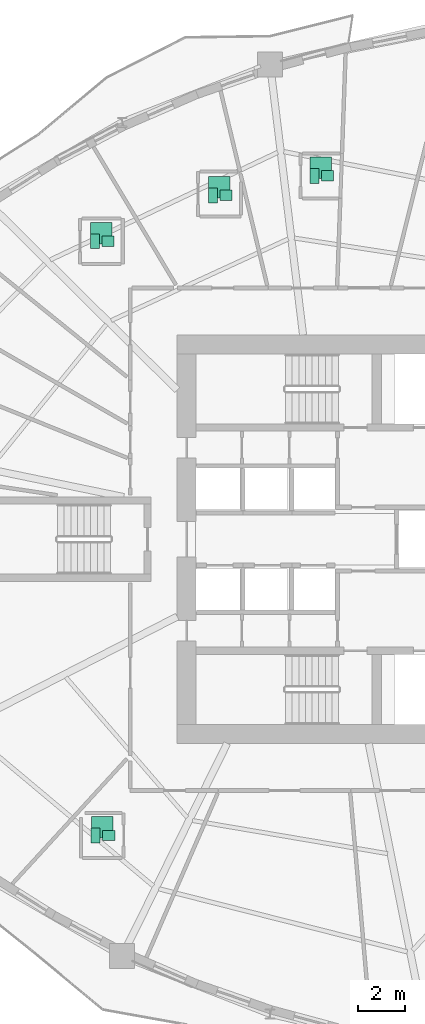
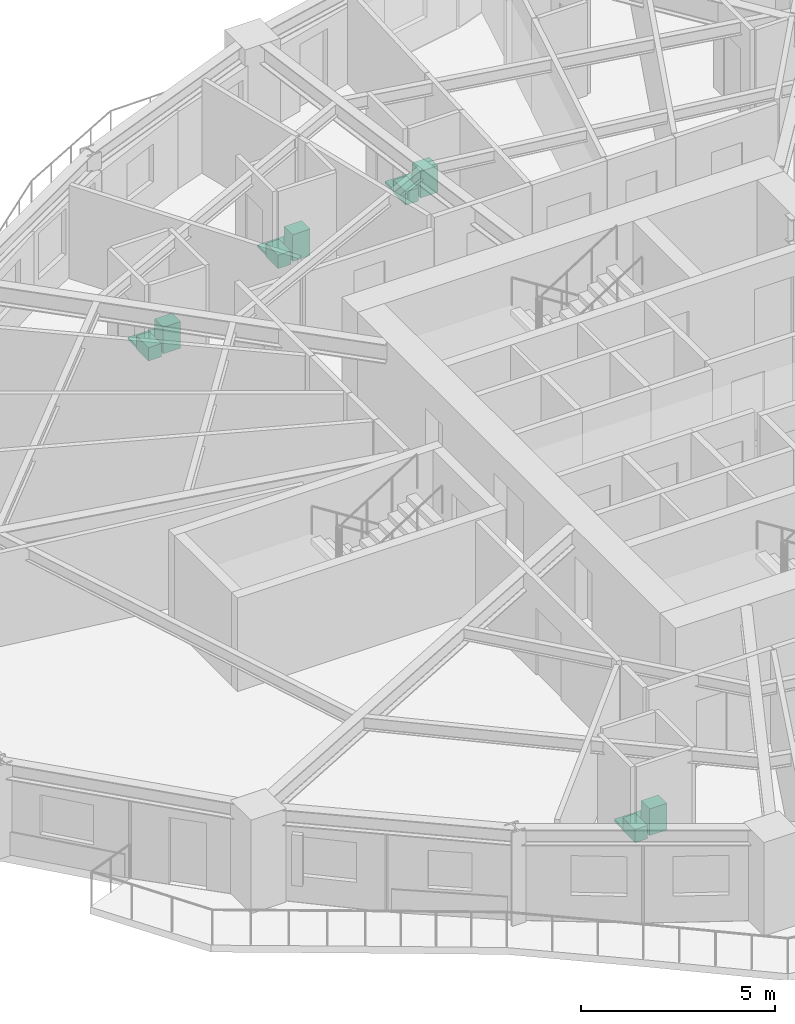
# One storey, part 16 of 16: 12 sanitary terminals.
"""IFC4 building model written with IfcOpenShell, lengths in metres."""

from ifc_helpers import new_model, si_unit, direction, frame, origin, origin_2d, place, context, subcontext, project, spatial, rectangle, extrude, source, transform, mapped, material, type_object, element, save


model = new_model("IFC4")

# Units and contexts
model_context = context("Model", 3, precision=1e-05, world=origin(), true_north=direction((0.0, 1.0)))
body_context = subcontext(model_context, "Body", "Model", "MODEL_VIEW")
ifc_project = project(units=[si_unit("LENGTHUNIT", "METRE"), si_unit("AREAUNIT", "SQUARE_METRE"), si_unit("VOLUMEUNIT", "CUBIC_METRE"), si_unit("PLANEANGLEUNIT", "RADIAN"), si_unit("MASSUNIT", "GRAM", prefix="KILO")], contexts=[model_context])

# Site, building, storey
site_placement = place(None, origin())
site = spatial("IfcSite", under=ifc_project, at=site_placement, CompositionType="ELEMENT")
building_placement = place(site_placement, origin())
building = spatial("IfcBuilding", under=site, at=building_placement, Name="Qafzar Sky-Pleat Residences", CompositionType="ELEMENT")
storey_placement = place(building_placement, frame((0.0, 0.0, 33.39990234375)))
storey = spatial("IfcBuildingStorey", under=building, at=storey_placement, Name="L09", CompositionType="ELEMENT", Elevation=33.39990234375)

# Sanitary terminals
ifc_material_1 = material(Name="Vitreous china sanitaryware")
sanitary_terminal_type_1 = type_object("IfcSanitaryTerminalType", Name="SAN-WC-PAN", PredefinedType="TOILETPAN", material=ifc_material_1)
shared_shape_1 = source(origin(), body_context, "Body", "SweptSolid", [
    extrude(rectangle(XDim=0.3798828125, YDim=0.6201171875, at=origin_2d()), origin(), (0.0, 0.0, 1.0), 0.419921875),
])
for number, where, z_axis, x_axis, name in (
    (1, (29.77294921875, 41.297119140625, 0.000244140625), (0.0, 0.0, 1.0), (1.0, 0.0, 0.0), "L09 En-suite Bathroom 1 WC Pan"),
    (2, (25.4990234375, 40.4736328125, 0.000244140625), (0.0, 0.0, 1.0), (1.0, 0.0, 0.0), "L09 En-suite Bathroom 2 WC Pan"),
    (3, (20.530029296875, 38.544921875, 0.000244140625), (0.0, 0.0, 1.0), (1.0, 0.0, 0.0), "L09 En-suite Bathroom 3 WC Pan"),
    (4, (20.56396484375, 13.52294921875, 0.000244140625), (0.0, 0.0, 1.0), (1.0, 0.0, 0.0), "L09 En-suite Bathroom 6 WC Pan"),
):
    element("IfcSanitaryTerminal", number, at=place(storey_placement, frame(where, z_axis=z_axis, x_axis=x_axis)), inside=storey, type_object=sanitary_terminal_type_1, Name=name, PredefinedType="TOILETPAN", context=body_context, shape_type="MappedRepresentation", body=[
        mapped(shared_shape_1, transform((0.0, 0.0, 0.0), x_axis=(1.0, 0.0, 0.0), y_axis=(0.0, 1.0, 0.0), z_axis=(0.0, 0.0, 1.0), scale=1.0)),
    ])
sanitary_terminal_type_2 = type_object("IfcSanitaryTerminalType", Name="SAN-BASIN", PredefinedType="WASHHANDBASIN", material=ifc_material_1)
shared_shape_2 = source(origin(), body_context, "Body", "SweptSolid", [
    extrude(rectangle(XDim=0.52001953125, YDim=0.43994140625, at=origin_2d()), origin(), (0.0, 0.0, 1.0), 0.840087890625),
])
for number, where, z_axis, x_axis, name in (
    (5, (30.3330078125, 41.297119140625, 0.0), (0.0, 0.0, 1.0), (1.0, 0.0, 0.0), "L09 En-suite Bathroom 1 Pedestal Washbasin"),
    (6, (26.05908203125, 40.4736328125, 0.0), (0.0, 0.0, 1.0), (1.0, 0.0, 0.0), "L09 En-suite Bathroom 2 Pedestal Washbasin"),
    (7, (21.090087890625, 38.544921875, 0.0), (0.0, 0.0, 1.0), (1.0, 0.0, 0.0), "L09 En-suite Bathroom 3 Pedestal Washbasin"),
    (8, (21.1240234375, 13.52294921875, 0.0), (0.0, 0.0, 1.0), (1.0, 0.0, 0.0), "L09 En-suite Bathroom 6 Pedestal Washbasin"),
):
    element("IfcSanitaryTerminal", number, at=place(storey_placement, frame(where, z_axis=z_axis, x_axis=x_axis)), inside=storey, type_object=sanitary_terminal_type_2, Name=name, PredefinedType="WASHHANDBASIN", context=body_context, shape_type="MappedRepresentation", body=[
        mapped(shared_shape_2, transform((0.0, 0.0, 0.0), x_axis=(1.0, 0.0, 0.0), y_axis=(0.0, 1.0, 0.0), z_axis=(0.0, 0.0, 1.0), scale=1.0)),
    ])
ifc_material_2 = material(Name="Vitreous china and acrylic tray")
sanitary_terminal_type_3 = type_object("IfcSanitaryTerminalType", Name="SAN-SHOWER", PredefinedType="SHOWER", material=ifc_material_2)
shared_shape_3 = source(origin(), body_context, "Body", "SweptSolid", [
    extrude(rectangle(XDim=0.89990234375, YDim=0.89990234375, at=origin_2d()), origin(), (0.0, 0.0, 1.0), 0.080078125),
])
for number, where, z_axis, x_axis, name in (
    (9, (30.052978515625, 41.636962890625, 0.0), (0.0, 0.0, 1.0), (1.0, 0.0, 0.0), "L09 En-suite Bathroom 1 Walk-In Shower"),
    (10, (25.779052734375, 40.813720703125, 0.0), (0.0, 0.0, 1.0), (1.0, 0.0, 0.0), "L09 En-suite Bathroom 2 Walk-In Shower"),
    (11, (20.81005859375, 38.885009765625, 0.0), (0.0, 0.0, 1.0), (1.0, 0.0, 0.0), "L09 En-suite Bathroom 3 Walk-In Shower"),
    (12, (20.843994140625, 13.863037109375, 0.0), (0.0, 0.0, 1.0), (1.0, 0.0, 0.0), "L09 En-suite Bathroom 6 Walk-In Shower"),
):
    element("IfcSanitaryTerminal", number, at=place(storey_placement, frame(where, z_axis=z_axis, x_axis=x_axis)), inside=storey, type_object=sanitary_terminal_type_3, Name=name, PredefinedType="SHOWER", context=body_context, shape_type="MappedRepresentation", body=[
        mapped(shared_shape_3, transform((0.0, 0.0, 0.0), x_axis=(1.0, 0.0, 0.0), y_axis=(0.0, 1.0, 0.0), z_axis=(0.0, 0.0, 1.0), scale=1.0)),
    ])

save(model, "model.ifc")
